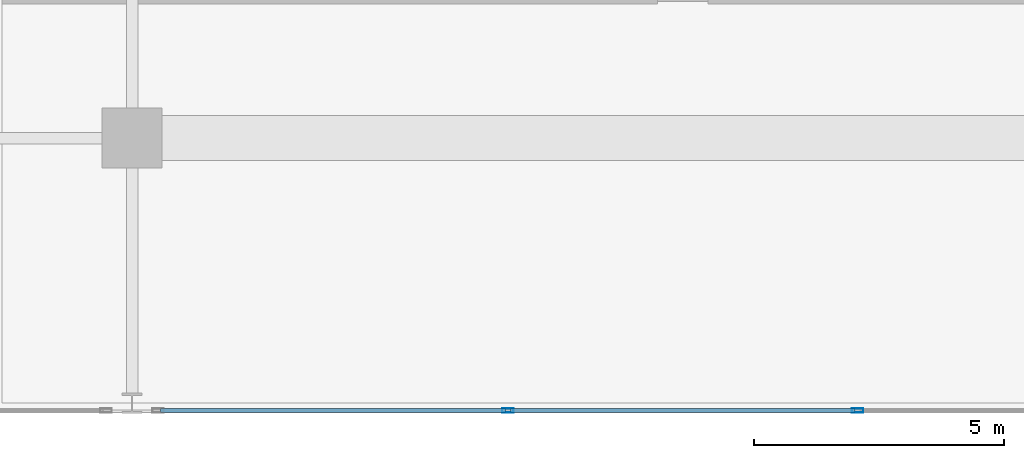
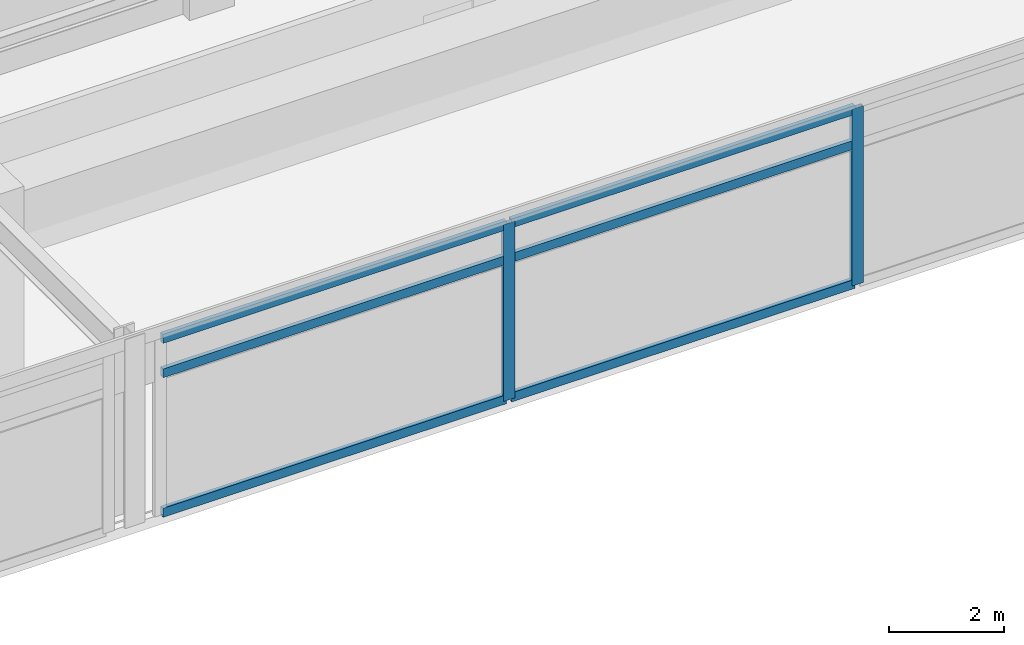
# One storey, part 3 of 21: 8 members, 1 element without a shape of its own.
"""IFC4 building model written with IfcOpenShell, lengths in metres."""

from ifc_helpers import new_model, si_unit, direction, frame, origin, origin_2d, place, context, subcontext, project, spatial, hollow_rectangle, extrude, material, material_profile, profile_set, type_object, element, aggregate, save


model = new_model("IFC4")

# Units and contexts
model_context = context("Model", 3, precision=1e-05, world=origin(), true_north=direction((0.0, 1.0)))
body_context = subcontext(model_context, "Body", "Model", "MODEL_VIEW")
ifc_project = project(units=[si_unit("LENGTHUNIT", "METRE"), si_unit("AREAUNIT", "SQUARE_METRE"), si_unit("VOLUMEUNIT", "CUBIC_METRE"), si_unit("PLANEANGLEUNIT", "RADIAN"), si_unit("MASSUNIT", "GRAM", prefix="KILO")], contexts=[model_context])

# Site, building, storey
site_placement = place(None, origin())
site = spatial("IfcSite", under=ifc_project, at=site_placement, CompositionType="ELEMENT")
building_placement = place(site_placement, origin())
building = spatial("IfcBuilding", under=site, at=building_placement, Name="Kovane Verandah Tower", CompositionType="ELEMENT")
storey_placement = place(building_placement, frame((0.0, 0.0, 283.199951171875)))
storey = spatial("IfcBuildingStorey", under=building, at=storey_placement, Name="L66", CompositionType="ELEMENT", Elevation=283.199951171875)

# Curtain wall, members
ifc_material_1 = material(Name="Champagne Anodised Aluminium Frame with Low-E Clear Laminated Glass", Category="aluminium")
curtain_wall_type = type_object("IfcCurtainWallType", Name="CW-SYS-05-HIGH", PredefinedType="NOTDEFINED", material=ifc_material_1)
curtain_wall_placement = place(storey_placement, origin())
curtain_wall = element("IfcCurtainWall", 1, at=curtain_wall_placement, inside=storey, type_object=curtain_wall_type, Name="L66 S Unitised Curtain Wall-2", PredefinedType="NOTDEFINED")
ifc_material_2 = material(Name="Champagne Anodised Aluminium 6063-T6", Category="aluminium")
ifc_material_profile_1 = material_profile(ifc_material_2, hollow_rectangle(XDim=0.0849609375, YDim=0.22998046875, WallThickness=0.00390625, at=origin_2d()), Name="AL85x230x4")
ifc_profile_set_1 = profile_set([ifc_material_profile_1], Name="Champagne Anodised Aluminium 6063-T6")
member_type_1 = type_object("IfcMemberType", Name="CW-MUL-85x230", PredefinedType="MULLION", material=ifc_profile_set_1)
member_1_placement = place(storey_placement, frame((36.506591796875, 5.359619140625, 0.02001953125), z_axis=(0.0, 0.0, 1.0), x_axis=(0.0, -1.0, 0.0)))
member_1 = element("IfcMember", 2, at=member_1_placement, type_object=member_type_1, Name="L66 S Unitised Curtain Wall-2 Mullion 2", PredefinedType="MULLION", context=body_context, shape_type="SweptSolid", body=[
    extrude(hollow_rectangle(XDim=0.0849609375, YDim=0.22998046875, WallThickness=0.00390625, at=origin_2d()), origin(), (0.0, 0.0, 1.0), 3.7451171875),
])
member_2_placement = place(storey_placement, frame((43.493408203125, 5.359619140625, 0.02001953125), z_axis=(0.0, 0.0, 1.0), x_axis=(0.0, -1.0, 0.0)))
member_2 = element("IfcMember", 3, at=member_2_placement, type_object=member_type_1, Name="L66 S Unitised Curtain Wall-2 Mullion 3", PredefinedType="MULLION", context=body_context, shape_type="SweptSolid", body=[
    extrude(hollow_rectangle(XDim=0.0849609375, YDim=0.22998046875, WallThickness=0.00390625, at=origin_2d()), origin(), (0.0, 0.0, 1.0), 3.7451171875),
])
ifc_material_profile_2 = material_profile(ifc_material_2, hollow_rectangle(XDim=0.0849609375, YDim=0.18994140625, WallThickness=0.00390625, at=origin_2d()), Name="AL85x190x4")
ifc_profile_set_2 = profile_set([ifc_material_profile_2], Name="Champagne Anodised Aluminium 6063-T6")
member_type_2 = type_object("IfcMemberType", Name="CW-TRN-85x190", PredefinedType="USERDEFINED", material=ifc_profile_set_2)
member_3_placement = place(storey_placement, frame((29.570068359375, 5.359619140625, 0.050048828125), z_axis=(1.0, 0.0, 0.0), x_axis=(0.0, 1.0, 0.0)))
member_3 = element("IfcMember", 4, at=member_3_placement, type_object=member_type_2, Name="L66 S Unitised Curtain Wall-2 Transom TB Bay 1", ObjectType="TRANSOM", PredefinedType="USERDEFINED", context=body_context, shape_type="SweptSolid", body=[
    extrude(hollow_rectangle(XDim=0.0849609375, YDim=0.18994140625, WallThickness=0.00390625, at=origin_2d()), origin(), (0.0, 0.0, 1.0), 6.88671875),
])
member_4_placement = place(storey_placement, frame((29.570068359375, 5.359619140625, 3.005126953125), z_axis=(1.0, 0.0, 0.0), x_axis=(0.0, 1.0, 0.0)))
member_4 = element("IfcMember", 5, at=member_4_placement, type_object=member_type_2, Name="L66 S Unitised Curtain Wall-2 Transom TM Bay 1", ObjectType="TRANSOM", PredefinedType="USERDEFINED", context=body_context, shape_type="SweptSolid", body=[
    extrude(hollow_rectangle(XDim=0.0849609375, YDim=0.18994140625, WallThickness=0.00390625, at=origin_2d()), origin(), (0.0, 0.0, 1.0), 6.88671875),
])
member_5_placement = place(storey_placement, frame((29.570068359375, 5.359619140625, 3.735107421875), z_axis=(1.0, 0.0, 0.0), x_axis=(0.0, 1.0, 0.0)))
member_5 = element("IfcMember", 6, at=member_5_placement, type_object=member_type_2, Name="L66 S Unitised Curtain Wall-2 Transom TT Bay 1", ObjectType="TRANSOM", PredefinedType="USERDEFINED", context=body_context, shape_type="SweptSolid", body=[
    extrude(hollow_rectangle(XDim=0.0849609375, YDim=0.18994140625, WallThickness=0.00390625, at=origin_2d()), origin(), (0.0, 0.0, 1.0), 6.88671875),
])
member_6_placement = place(storey_placement, frame((36.556640625, 5.359619140625, 0.050048828125), z_axis=(1.0, 0.0, 0.0), x_axis=(0.0, 1.0, 0.0)))
member_6 = element("IfcMember", 7, at=member_6_placement, type_object=member_type_2, Name="L66 S Unitised Curtain Wall-2 Transom TB Bay 2", ObjectType="TRANSOM", PredefinedType="USERDEFINED", context=body_context, shape_type="SweptSolid", body=[
    extrude(hollow_rectangle(XDim=0.0849609375, YDim=0.18994140625, WallThickness=0.00390625, at=origin_2d()), origin(), (0.0, 0.0, 1.0), 6.88671875),
])
member_7_placement = place(storey_placement, frame((36.556640625, 5.359619140625, 3.005126953125), z_axis=(1.0, 0.0, 0.0), x_axis=(0.0, 1.0, 0.0)))
member_7 = element("IfcMember", 8, at=member_7_placement, type_object=member_type_2, Name="L66 S Unitised Curtain Wall-2 Transom TM Bay 2", ObjectType="TRANSOM", PredefinedType="USERDEFINED", context=body_context, shape_type="SweptSolid", body=[
    extrude(hollow_rectangle(XDim=0.0849609375, YDim=0.18994140625, WallThickness=0.00390625, at=origin_2d()), origin(), (0.0, 0.0, 1.0), 6.88671875),
])
member_8_placement = place(storey_placement, frame((36.556640625, 5.359619140625, 3.735107421875), z_axis=(1.0, 0.0, 0.0), x_axis=(0.0, 1.0, 0.0)))
member_8 = element("IfcMember", 9, at=member_8_placement, type_object=member_type_2, Name="L66 S Unitised Curtain Wall-2 Transom TT Bay 2", ObjectType="TRANSOM", PredefinedType="USERDEFINED", context=body_context, shape_type="SweptSolid", body=[
    extrude(hollow_rectangle(XDim=0.0849609375, YDim=0.18994140625, WallThickness=0.00390625, at=origin_2d()), origin(), (0.0, 0.0, 1.0), 6.88671875),
])
aggregate(curtain_wall, [member_1, member_2, member_3, member_4, member_5, member_6, member_7, member_8])

save(model, "model.ifc")
